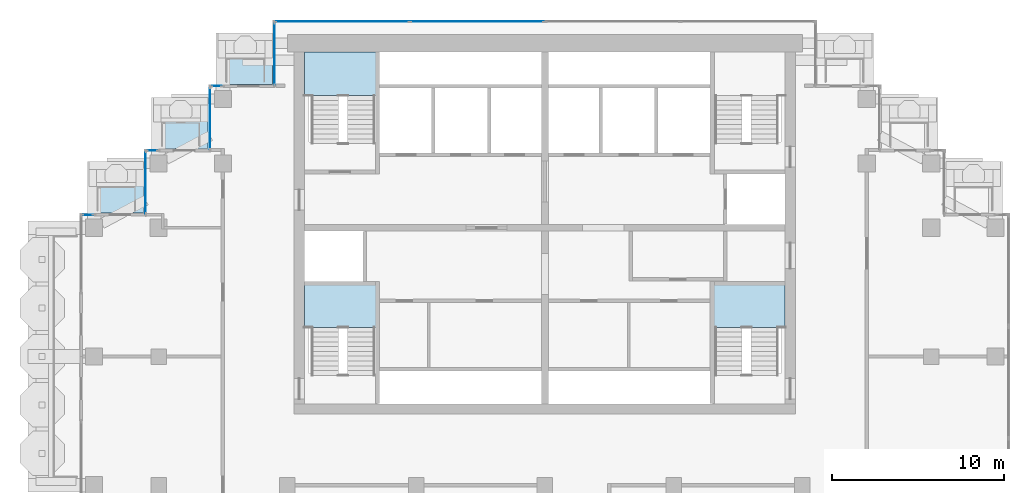
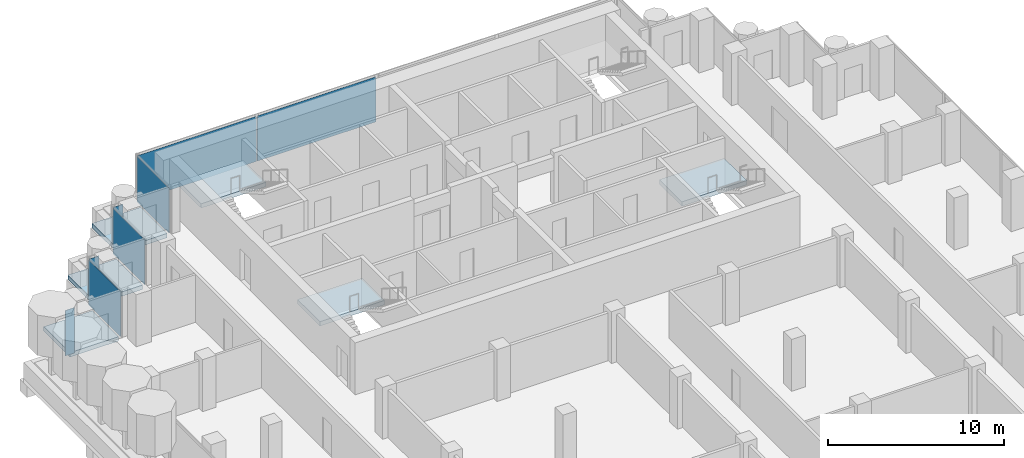
# One storey, part 9 of 17: 8 plates, 6 slabs, 10 elements without a shape of their own.
"""IFC4 building model written with IfcOpenShell, lengths in metres."""

from ifc_helpers import new_model, si_unit, direction, frame, origin, origin_2d, place, context, subcontext, project, spatial, polyline, rectangle, outline, extrude, material, layer, layer_set, type_object, element, aggregate, save


model = new_model("IFC4")

# Units and contexts
model_context = context("Model", 3, precision=1e-05, world=origin(), true_north=direction((0.0, 1.0)))
body_context = subcontext(model_context, "Body", "Model", "MODEL_VIEW")
ifc_project = project(units=[si_unit("LENGTHUNIT", "METRE"), si_unit("AREAUNIT", "SQUARE_METRE"), si_unit("VOLUMEUNIT", "CUBIC_METRE"), si_unit("PLANEANGLEUNIT", "RADIAN"), si_unit("MASSUNIT", "GRAM", prefix="KILO")], contexts=[model_context])

# Site, building, storey
site_placement = place(None, origin())
site = spatial("IfcSite", under=ifc_project, at=site_placement, CompositionType="ELEMENT")
building_placement = place(site_placement, origin())
building = spatial("IfcBuilding", under=site, at=building_placement, Name="Pilkhan Gate Tower", CompositionType="ELEMENT")
storey_placement = place(building_placement, frame((0.0, 0.0, 206.699951171875)))
storey = spatial("IfcBuildingStorey", under=building, at=storey_placement, Name="L53", CompositionType="ELEMENT", Elevation=206.699951171875)

# Slabs
ifc_material_1 = material(Name="Concrete C60/75", Category="concrete")
ifc_layer_1 = layer(ifc_material_1, 0.300048828125)
ifc_layer_set_1 = layer_set([ifc_layer_1], Name="Balcony tray slab TR300")
slab_type_1 = type_object("IfcSlabType", Name="Balcony tray slab TR300", PredefinedType="FLOOR", material=ifc_layer_set_1)
slab_1_placement = place(storey_placement, frame((0.0, 0.0, -0.300048828125)))
element("IfcSlab", 1, at=slab_1_placement, inside=storey, type_object=slab_type_1, Name="Balcony tray L53 N", PredefinedType="FLOOR", context=body_context, shape_type="SweptSolid", body=[
    extrude(outline(polyline([(59.14990234375, 90.85009765625), (59.14990234375, 93.85009765625), (55.949951171875, 93.85009765625), (55.949951171875, 90.85009765625), (59.14990234375, 90.85009765625)])), origin(), (0.0, 0.0, 1.0), 0.300048828125),
])
slab_2_placement = place(storey_placement, frame((0.0, 0.0, -0.300048828125)))
element("IfcSlab", 2, at=slab_2_placement, inside=storey, type_object=slab_type_1, Name="Balcony tray L53 N", PredefinedType="FLOOR", context=body_context, shape_type="SweptSolid", body=[
    extrude(outline(polyline([(55.3798828125, 87.1201171875), (55.3798828125, 90.10009765625), (52.199951171875, 90.10009765625), (52.199951171875, 87.1201171875), (55.3798828125, 87.1201171875)])), origin(), (0.0, 0.0, 1.0), 0.300048828125),
])
slab_3_placement = place(storey_placement, frame((0.0, 0.0, -0.300048828125)))
element("IfcSlab", 3, at=slab_3_placement, inside=storey, type_object=slab_type_1, Name="Balcony tray L53 N", PredefinedType="FLOOR", context=body_context, shape_type="SweptSolid", body=[
    extrude(outline(polyline([(51.6298828125, 83.3701171875), (51.6298828125, 86.35009765625), (48.449951171875, 86.35009765625), (48.449951171875, 83.3701171875), (51.6298828125, 83.3701171875)])), origin(), (0.0, 0.0, 1.0), 0.300048828125),
])

# Curtain wall, plates
ifc_material_2 = material(Name="Pale anodised aluminium, clear low-iron double glazing", Category="aluminium")
curtain_wall_type = type_object("IfcCurtainWallType", Name="Office unitised curtain wall CW-O2", PredefinedType="USERDEFINED", material=ifc_material_2)
curtain_wall_1_placement = place(storey_placement, origin())
curtain_wall_1 = element("IfcCurtainWall", 4, at=curtain_wall_1_placement, inside=storey, type_object=curtain_wall_type, Name="Office unitised curtain wall CW-O2 L53 N", ObjectType="UNITISED CURTAIN WALL", PredefinedType="USERDEFINED")
ifc_material_3 = material(Name="Clear low-iron double glazing", Category="glass")
ifc_layer_2 = layer(ifc_material_3, 0.031982421875)
ifc_layer_set_2 = layer_set([ifc_layer_2], Name="Glass panel CW-O2 32")
plate_type = type_object("IfcPlateType", Name="Glass panel CW-O2 32", PredefinedType="CURTAIN_PANEL", material=ifc_layer_set_2)
plate_1_placement = place(storey_placement, frame((63.203857421875, 94.5, 0.0), z_axis=(0.0, 0.0, 1.0), x_axis=(1.0, 0.0, 0.0)))
plate_1 = element("IfcPlate", 5, at=plate_1_placement, type_object=plate_type, Name="CW-O2 panel 1", PredefinedType="CURTAIN_PANEL", context=body_context, shape_type="SweptSolid", body=[
    extrude(rectangle(XDim=7.777587890625, YDim=0.031982421875, at=origin_2d()), origin(), (0.0, 0.0, 1.0), 3.135009765625),
])
plate_2_placement = place(storey_placement, frame((71.046142578125, 94.5, 0.0), z_axis=(0.0, 0.0, 1.0), x_axis=(1.0, 0.0, 0.0)))
plate_2 = element("IfcPlate", 6, at=plate_2_placement, type_object=plate_type, Name="CW-O2 panel 2", PredefinedType="CURTAIN_PANEL", context=body_context, shape_type="SweptSolid", body=[
    extrude(rectangle(XDim=7.777587890625, YDim=0.031982421875, at=origin_2d()), origin(), (0.0, 0.0, 1.0), 3.135009765625),
])
aggregate(curtain_wall_1, [plate_1, plate_2])

# Curtain wall, plate
curtain_wall_2_placement = place(storey_placement, origin())
curtain_wall_2 = element("IfcCurtainWall", 7, at=curtain_wall_2_placement, inside=storey, type_object=curtain_wall_type, Name="Office unitised curtain wall CW-O2 L53 W", ObjectType="UNITISED CURTAIN WALL", PredefinedType="USERDEFINED")
plate_3_placement = place(storey_placement, frame((59.25, 92.625, 0.0), z_axis=(0.0, 0.0, 1.0), x_axis=(0.0, 1.0, 0.0)))
plate_3 = element("IfcPlate", 8, at=plate_3_placement, type_object=plate_type, Name="CW-O2 panel 1", PredefinedType="CURTAIN_PANEL", context=body_context, shape_type="SweptSolid", body=[
    extrude(rectangle(XDim=3.6201171875, YDim=0.031982421875, at=origin_2d()), origin(), (0.0, 0.0, 1.0), 3.135009765625),
])
aggregate(curtain_wall_2, [plate_3])

curtain_wall_3_placement = place(storey_placement, origin())
curtain_wall_3 = element("IfcCurtainWall", 9, at=curtain_wall_3_placement, inside=storey, type_object=curtain_wall_type, Name="Office unitised curtain wall CW-O2 L53 N", ObjectType="UNITISED CURTAIN WALL", PredefinedType="USERDEFINED")
plate_4_placement = place(storey_placement, frame((55.875, 90.75, 0.0), z_axis=(0.0, 0.0, 1.0), x_axis=(1.0, 0.0, 0.0)))
plate_4 = element("IfcPlate", 10, at=plate_4_placement, type_object=plate_type, Name="CW-O2 panel 1", PredefinedType="CURTAIN_PANEL", context=body_context, shape_type="SweptSolid", body=[
    extrude(rectangle(XDim=0.6201171875, YDim=0.031982421875, at=origin_2d()), origin(), (0.0, 0.0, 1.0), 3.135009765625),
])
aggregate(curtain_wall_3, [plate_4])

curtain_wall_4_placement = place(storey_placement, origin())
curtain_wall_4 = element("IfcCurtainWall", 11, at=curtain_wall_4_placement, inside=storey, type_object=curtain_wall_type, Name="Office unitised curtain wall CW-O2 L53 W", ObjectType="UNITISED CURTAIN WALL", PredefinedType="USERDEFINED")
plate_5_placement = place(storey_placement, frame((55.5, 88.875, 0.0), z_axis=(0.0, 0.0, 1.0), x_axis=(0.0, 1.0, 0.0)))
plate_5 = element("IfcPlate", 12, at=plate_5_placement, type_object=plate_type, Name="CW-O2 panel 1", PredefinedType="CURTAIN_PANEL", context=body_context, shape_type="SweptSolid", body=[
    extrude(rectangle(XDim=3.6201171875, YDim=0.031982421875, at=origin_2d()), origin(), (0.0, 0.0, 1.0), 3.135009765625),
])
aggregate(curtain_wall_4, [plate_5])

curtain_wall_5_placement = place(storey_placement, origin())
curtain_wall_5 = element("IfcCurtainWall", 13, at=curtain_wall_5_placement, inside=storey, type_object=curtain_wall_type, Name="Office unitised curtain wall CW-O2 L53 N", ObjectType="UNITISED CURTAIN WALL", PredefinedType="USERDEFINED")
plate_6_placement = place(storey_placement, frame((52.125, 87.0, 0.0), z_axis=(0.0, 0.0, 1.0), x_axis=(1.0, 0.0, 0.0)))
plate_6 = element("IfcPlate", 14, at=plate_6_placement, type_object=plate_type, Name="CW-O2 panel 1", PredefinedType="CURTAIN_PANEL", context=body_context, shape_type="SweptSolid", body=[
    extrude(rectangle(XDim=0.6201171875, YDim=0.031982421875, at=origin_2d()), origin(), (0.0, 0.0, 1.0), 3.135009765625),
])
aggregate(curtain_wall_5, [plate_6])

curtain_wall_6_placement = place(storey_placement, origin())
curtain_wall_6 = element("IfcCurtainWall", 15, at=curtain_wall_6_placement, inside=storey, type_object=curtain_wall_type, Name="Office unitised curtain wall CW-O2 L53 W", ObjectType="UNITISED CURTAIN WALL", PredefinedType="USERDEFINED")
plate_7_placement = place(storey_placement, frame((51.75, 85.125, 0.0), z_axis=(0.0, 0.0, 1.0), x_axis=(0.0, 1.0, 0.0)))
plate_7 = element("IfcPlate", 16, at=plate_7_placement, type_object=plate_type, Name="CW-O2 panel 1", PredefinedType="CURTAIN_PANEL", context=body_context, shape_type="SweptSolid", body=[
    extrude(rectangle(XDim=3.6201171875, YDim=0.031982421875, at=origin_2d()), origin(), (0.0, 0.0, 1.0), 3.135009765625),
])
aggregate(curtain_wall_6, [plate_7])

curtain_wall_7_placement = place(storey_placement, origin())
curtain_wall_7 = element("IfcCurtainWall", 17, at=curtain_wall_7_placement, inside=storey, type_object=curtain_wall_type, Name="Office unitised curtain wall CW-O2 L53 N", ObjectType="UNITISED CURTAIN WALL", PredefinedType="USERDEFINED")
plate_8_placement = place(storey_placement, frame((48.375, 83.25, 0.0), z_axis=(0.0, 0.0, 1.0), x_axis=(1.0, 0.0, 0.0)))
plate_8 = element("IfcPlate", 18, at=plate_8_placement, type_object=plate_type, Name="CW-O2 panel 1", PredefinedType="CURTAIN_PANEL", context=body_context, shape_type="SweptSolid", body=[
    extrude(rectangle(XDim=0.6201171875, YDim=0.031982421875, at=origin_2d()), origin(), (0.0, 0.0, 1.0), 3.135009765625),
])
aggregate(curtain_wall_7, [plate_8])

# Stair, slab
ifc_material_4 = material(Name="Concrete C40/50 precast", Category="concrete")
stair_type_1 = type_object("IfcStairType", Name="Stair ST1 164x280", PredefinedType="HALF_TURN_STAIR", material=ifc_material_4)
stair_1_placement = place(storey_placement, origin())
stair_1 = element("IfcStair", 19, at=stair_1_placement, inside=storey, type_object=stair_type_1, Name="Stair ST1 L53", PredefinedType="HALF_TURN_STAIR")
ifc_material_5 = material(Name="Concrete C40/50", Category="concrete")
ifc_layer_3 = layer(ifc_material_5, 0.199951171875)
ifc_layer_set_3 = layer_set([ifc_layer_3], Name="Stair landing SL200")
slab_type_2 = type_object("IfcSlabType", Name="Stair landing SL200", PredefinedType="LANDING", material=ifc_layer_set_3)
slab_4_placement = place(storey_placement, frame((0.0, 0.0, 1.5)))
slab_4 = element("IfcSlab", 20, at=slab_4_placement, type_object=slab_type_2, Name="ST1 landing 1", PredefinedType="LANDING", context=body_context, shape_type="SweptSolid", body=[
    extrude(outline(polyline([(89.0, 76.699951171875), (89.0, 79.25), (84.75, 79.25), (84.75, 76.699951171875), (89.0, 76.699951171875)])), origin(), (0.0, 0.0, 1.0), 0.300048828125),
])
aggregate(stair_1, [slab_4])

stair_type_2 = type_object("IfcStairType", Name="Stair ST2 164x280", PredefinedType="HALF_TURN_STAIR", material=ifc_material_4)
stair_2_placement = place(storey_placement, origin())
stair_2 = element("IfcStair", 21, at=stair_2_placement, inside=storey, type_object=stair_type_2, Name="Stair ST2 L53", PredefinedType="HALF_TURN_STAIR")
slab_5_placement = place(storey_placement, frame((0.0, 0.0, 1.5)))
slab_5 = element("IfcSlab", 22, at=slab_5_placement, type_object=slab_type_2, Name="ST2 landing 1", PredefinedType="LANDING", context=body_context, shape_type="SweptSolid", body=[
    extrude(outline(polyline([(65.25, 76.699951171875), (65.25, 79.25), (61.0, 79.25), (61.0, 76.699951171875), (65.25, 76.699951171875)])), origin(), (0.0, 0.0, 1.0), 0.300048828125),
])
aggregate(stair_2, [slab_5])

stair_type_3 = type_object("IfcStairType", Name="Stair ST3 164x280", PredefinedType="HALF_TURN_STAIR", material=ifc_material_4)
stair_3_placement = place(storey_placement, origin())
stair_3 = element("IfcStair", 23, at=stair_3_placement, inside=storey, type_object=stair_type_3, Name="Stair ST3 L53", PredefinedType="HALF_TURN_STAIR")
slab_6_placement = place(storey_placement, frame((0.0, 0.0, 1.5)))
slab_6 = element("IfcSlab", 24, at=slab_6_placement, type_object=slab_type_2, Name="ST3 landing 1", PredefinedType="LANDING", context=body_context, shape_type="SweptSolid", body=[
    extrude(outline(polyline([(65.25, 90.199951171875), (65.25, 92.75), (61.0, 92.75), (61.0, 90.199951171875), (65.25, 90.199951171875)])), origin(), (0.0, 0.0, 1.0), 0.300048828125),
])
aggregate(stair_3, [slab_6])

save(model, "model.ifc")
